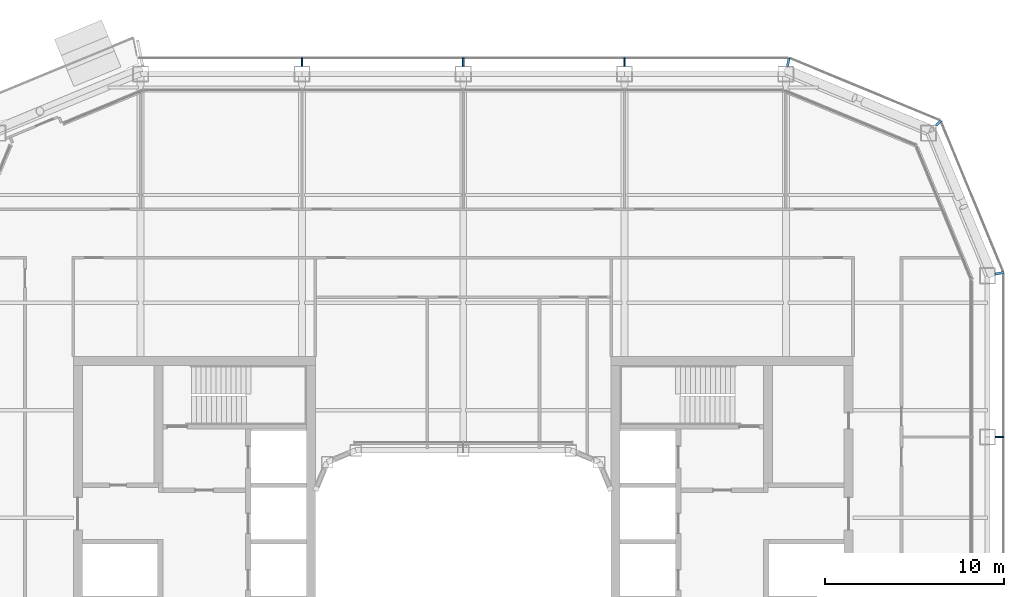
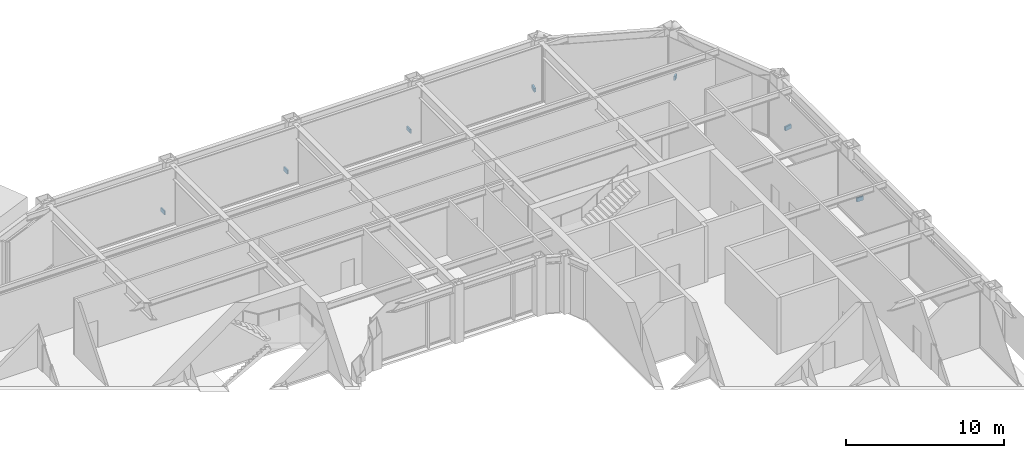
# One storey, part 17 of 23: 7 discrete accessories.
"""IFC4 building model written with IfcOpenShell, lengths in metres."""

from ifc_helpers import new_model, si_unit, direction, frame, origin, origin_2d, place, context, subcontext, project, spatial, rectangle, extrude, material, type_object, element, save


model = new_model("IFC4")

# Units and contexts
model_context = context("Model", 3, precision=1e-05, world=origin(), true_north=direction((0.0, 1.0)))
body_context = subcontext(model_context, "Body", "Model", "MODEL_VIEW")
ifc_project = project(units=[si_unit("LENGTHUNIT", "METRE"), si_unit("AREAUNIT", "SQUARE_METRE"), si_unit("VOLUMEUNIT", "CUBIC_METRE"), si_unit("PLANEANGLEUNIT", "RADIAN"), si_unit("MASSUNIT", "GRAM", prefix="KILO")], contexts=[model_context])

# Site, building, storey
site_placement = place(None, origin())
site = spatial("IfcSite", under=ifc_project, at=site_placement, CompositionType="ELEMENT")
building_placement = place(site_placement, origin())
building = spatial("IfcBuilding", under=site, at=building_placement, Name="Siwar Civic Tower", CompositionType="ELEMENT")
storey_placement = place(building_placement, frame((0.0, 0.0, 172.199951171875)))
storey = spatial("IfcBuildingStorey", under=building, at=storey_placement, Name="L37", CompositionType="ELEMENT", Elevation=172.199951171875)

# Discrete accessories
ifc_material = material(Name="Stainless steel 316", Category="steel")
discrete_accessory_type = type_object("IfcDiscreteAccessoryType", Name="ENV-BRACKET", PredefinedType="BRACKET", material=ifc_material)
for number, where, z_axis, x_axis, name in (
    (1, (29.9150390625, 9.0, -0.14990234375), (0.0, 0.0, 1.0), (1.0, 0.0, 0.0), "Bracket outer skin joint E-03"),
    (2, (9.0, 29.9150390625, -0.14990234375), (0.0, 0.0, 1.0), (0.0, 1.0, 0.0), "Bracket outer skin joint N-01"),
    (3, (0.0, 29.9150390625, -0.14990234375), (0.0, 0.0, 1.0), (0.0, 1.0, 0.0), "Bracket outer skin joint N-02"),
    (4, (-9.0, 29.9150390625, -0.14990234375), (0.0, 0.0, 1.0), (0.0, 1.0, 0.0), "Bracket outer skin joint N-03"),
):
    element("IfcDiscreteAccessory", number, at=place(storey_placement, frame(where, z_axis=z_axis, x_axis=x_axis)), inside=storey, type_object=discrete_accessory_type, Name=name, PredefinedType="BRACKET", context=body_context, shape_type="SweptSolid", body=[
        extrude(rectangle(XDim=0.469970703125, YDim=0.10009765625, at=origin_2d()), origin(), (0.0, 0.0, 1.0), 0.300048828125),
    ])
discrete_accessory_1_placement = place(storey_placement, frame((29.915283203125, 18.13232421875, -0.14990234375), z_axis=(0.0, 0.0, 1.0), x_axis=(0.980785280403, 0.195090322016, 0.0)))
element("IfcDiscreteAccessory", 5, at=discrete_accessory_1_placement, inside=storey, type_object=discrete_accessory_type, Name="Bracket outer skin joint V04", PredefinedType="BRACKET", context=body_context, shape_type="SweptSolid", body=[
    extrude(rectangle(XDim=0.478759765625, YDim=0.13720703125, at=origin_2d()), origin(), (0.0, 0.0, 1.0), 0.300048828125),
])
discrete_accessory_2_placement = place(storey_placement, frame((26.517333984375, 26.517333984375, -0.14990234375), z_axis=(0.0, 0.0, 1.0), x_axis=(0.707106781187, 0.707106781187, 0.0)))
element("IfcDiscreteAccessory", 6, at=discrete_accessory_2_placement, inside=storey, type_object=discrete_accessory_type, Name="Bracket outer skin joint V05", PredefinedType="BRACKET", context=body_context, shape_type="SweptSolid", body=[
    extrude(rectangle(XDim=0.357666015625, YDim=0.12939453125, at=origin_2d()), origin(), (0.0, 0.0, 1.0), 0.300048828125),
])
discrete_accessory_3_placement = place(storey_placement, frame((18.13232421875, 29.915283203125, -0.14990234375), z_axis=(0.0, 0.0, 1.0), x_axis=(0.195090322016, 0.980785280403, 0.0)))
element("IfcDiscreteAccessory", 7, at=discrete_accessory_3_placement, inside=storey, type_object=discrete_accessory_type, Name="Bracket outer skin joint V06", PredefinedType="BRACKET", context=body_context, shape_type="SweptSolid", body=[
    extrude(rectangle(XDim=0.478759765625, YDim=0.13720703125, at=origin_2d()), origin(), (0.0, 0.0, 1.0), 0.300048828125),
])

save(model, "model.ifc")
